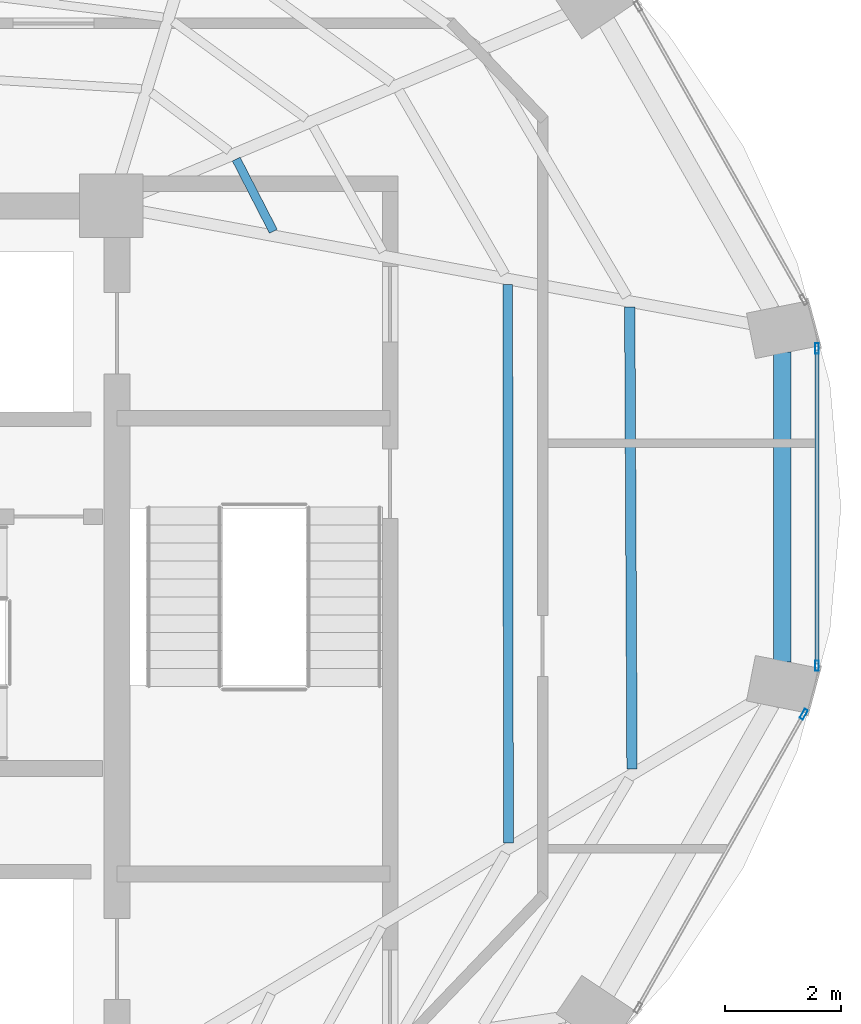
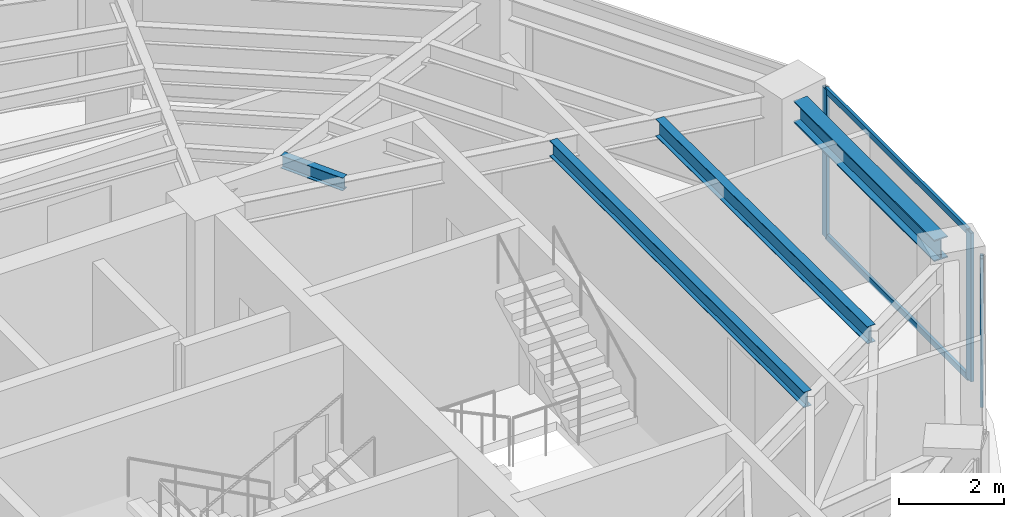
# One storey, part 14 of 23: 5 members, 4 beams, 2 elements without a shape of their own.
"""IFC4 building model written with IfcOpenShell, lengths in metres."""

from ifc_helpers import new_model, si_unit, direction, frame, origin, origin_2d, place, context, subcontext, project, spatial, hollow_rectangle, i_section, extrude, material, layer, layer_set, material_profile, profile_set, type_object, element, aggregate, save


model = new_model("IFC4")

# Units and contexts
model_context = context("Model", 3, precision=1e-05, world=origin(), true_north=direction((0.0, 1.0)))
body_context = subcontext(model_context, "Body", "Model", "MODEL_VIEW")
ifc_project = project(units=[si_unit("LENGTHUNIT", "METRE"), si_unit("AREAUNIT", "SQUARE_METRE"), si_unit("VOLUMEUNIT", "CUBIC_METRE"), si_unit("PLANEANGLEUNIT", "RADIAN"), si_unit("MASSUNIT", "GRAM", prefix="KILO")], contexts=[model_context])

# Site, building, storey
site_placement = place(None, origin())
site = spatial("IfcSite", under=ifc_project, at=site_placement, CompositionType="ELEMENT")
building_placement = place(site_placement, origin())
building = spatial("IfcBuilding", under=site, at=building_placement, Name="Lazwardi Medical Tower", CompositionType="ELEMENT")
storey_placement = place(building_placement, frame((0.0, 0.0, 231.31201171875)))
storey = spatial("IfcBuildingStorey", under=building, at=storey_placement, Name="L60", CompositionType="ELEMENT", Elevation=231.31201171875)

# Beams
ifc_material_1 = material(Name="Steel S355", Category="steel")
ifc_material_profile_1 = material_profile(ifc_material_1, i_section(OverallWidth=0.300048828125, OverallDepth=0.5, WebThickness=0.014404296875, FlangeThickness=0.028076171875, at=origin_2d()), Name="HEB 500")
ifc_profile_set_1 = profile_set([ifc_material_profile_1], Name="Steel S355")
beam_type_1 = type_object("IfcBeamType", Name="BM-RB-Z4", PredefinedType="BEAM", material=ifc_profile_set_1)
beam_1_placement = place(storey_placement, frame((57.18505859375, 27.72705078125, 3.197998046875), z_axis=(0.0, 1.0, 0.0), x_axis=(-1.0, 0.0, 0.0)))
element("IfcBeam", 1, at=beam_1_placement, inside=storey, type_object=beam_type_1, Name="Ring beam RB-05 B04 L60", PredefinedType="BEAM", context=body_context, shape_type="SweptSolid", body=[
    extrude(i_section(OverallWidth=0.300048828125, OverallDepth=0.5, WebThickness=0.014404296875, FlangeThickness=0.028076171875, at=origin_2d()), origin(), (0.0, 0.0, 1.0), 5.345947265625),
])
ifc_material_profile_2 = material_profile(ifc_material_1, i_section(OverallWidth=0.179931640625, OverallDepth=0.39990234375, WebThickness=0.008544921875, FlangeThickness=0.013427734375, at=origin_2d()), Name="IPE 400")
ifc_profile_set_2 = profile_set([ifc_material_profile_2], Name="Steel S355")
beam_type_2 = type_object("IfcBeamType", Name="BM-SJ-01", PredefinedType="JOIST", material=ifc_profile_set_2)
beam_2_placement = place(storey_placement, frame((54.592041015625, 25.879638671875, 3.248046875), z_axis=(-0.004929366644, 0.999987850598, 0.0), x_axis=(-0.999987850598, -0.004929366644, 0.0)))
element("IfcBeam", 2, at=beam_2_placement, inside=storey, type_object=beam_type_2, Name="Secondary joist SJ-01 R1 B04 L60", PredefinedType="JOIST", context=body_context, shape_type="SweptSolid", body=[
    extrude(i_section(OverallWidth=0.179931640625, OverallDepth=0.39990234375, WebThickness=0.008544921875, FlangeThickness=0.013427734375, at=origin_2d()), origin(), (0.0, 0.0, 1.0), 7.973876953125),
])
ifc_material_profile_3 = material_profile(ifc_material_1, i_section(OverallWidth=0.169921875, OverallDepth=0.360107421875, WebThickness=0.008056640625, FlangeThickness=0.0126953125, at=origin_2d()), Name="IPE 360")
ifc_profile_set_3 = profile_set([ifc_material_profile_3], Name="Steel S355")
beam_type_3 = type_object("IfcBeamType", Name="BM-SJ-02", PredefinedType="JOIST", material=ifc_profile_set_3)
beam_3_placement = place(storey_placement, frame((52.458984375, 24.602294921875, 3.26806640625), z_axis=(-0.001367606673, 0.999999064826, 0.0), x_axis=(-0.999999064826, -0.001367606673, 0.0)))
element("IfcBeam", 3, at=beam_3_placement, inside=storey, type_object=beam_type_3, Name="Secondary joist SJ-02 R2 B04 L60", PredefinedType="JOIST", context=body_context, shape_type="SweptSolid", body=[
    extrude(i_section(OverallWidth=0.169921875, OverallDepth=0.360107421875, WebThickness=0.008056640625, FlangeThickness=0.0126953125, at=origin_2d()), origin(), (0.0, 0.0, 1.0), 9.639892578125),
])
ifc_material_profile_4 = material_profile(ifc_material_1, i_section(OverallWidth=0.14990234375, OverallDepth=0.300048828125, WebThickness=0.007080078125, FlangeThickness=0.0107421875, at=origin_2d()), Name="IPE 300")
ifc_profile_set_4 = profile_set([ifc_material_profile_4], Name="Steel S355")
beam_type_4 = type_object("IfcBeamType", Name="BM-SJ-03", PredefinedType="JOIST", material=ifc_profile_set_4)
beam_4_placement = place(storey_placement, frame((48.39990234375, 35.159912109375, 3.298095703125), z_axis=(-0.457285056668, 0.889320176848, 0.0), x_axis=(-0.889320176848, -0.457285056668, 0.0)))
element("IfcBeam", 4, at=beam_4_placement, inside=storey, type_object=beam_type_4, Name="Secondary joist SJ-03 R4 B05 L60", PredefinedType="JOIST", context=body_context, shape_type="SweptSolid", body=[
    extrude(i_section(OverallWidth=0.14990234375, OverallDepth=0.300048828125, WebThickness=0.007080078125, FlangeThickness=0.0107421875, at=origin_2d()), origin(), (0.0, 0.0, 1.0), 1.402099609375),
])

# Curtain wall, member
ifc_material_2 = material(Name="Anodised bronze aluminium and solar control glazing", Category="aluminium")
ifc_layer = layer(ifc_material_2, 0.18994140625)
ifc_layer_set = layer_set([ifc_layer], Name="Anodised bronze aluminium and solar control glazing")
curtain_wall_type = type_object("IfcCurtainWallType", Name="CW-SYS-04", PredefinedType="NOTDEFINED", material=ifc_layer_set)
curtain_wall_1_placement = place(storey_placement, origin())
curtain_wall_1 = element("IfcCurtainWall", 5, at=curtain_wall_1_placement, inside=storey, type_object=curtain_wall_type, Name="L60 Unitised bronze curtain wall CW-04", PredefinedType="NOTDEFINED")
ifc_material_3 = material(Name="Anodised bronze aluminium", Category="aluminium")
ifc_material_profile_5 = material_profile(ifc_material_3, hollow_rectangle(XDim=0.06494140625, YDim=0.179931640625, WallThickness=0.00390625, at=origin_2d()), Name="ALU-MULLION 180x65x4")
ifc_profile_set_5 = profile_set([ifc_material_profile_5], Name="Anodised bronze aluminium")
member_type_1 = type_object("IfcMemberType", Name="CW-MUL-03", PredefinedType="MULLION", material=ifc_profile_set_5)
member_1_placement = place(storey_placement, frame((57.557373046875, 26.82177734375, 0.0), z_axis=(0.0, 0.0, 1.0), x_axis=(-0.870651436011, 0.491900474661, 0.0)))
member_1 = element("IfcMember", 6, at=member_1_placement, type_object=member_type_1, Name="CW-04 mullion 2", PredefinedType="MULLION", context=body_context, shape_type="SweptSolid", body=[
    extrude(hollow_rectangle(XDim=0.06494140625, YDim=0.179931640625, WallThickness=0.00390625, at=origin_2d()), origin(), (0.0, 0.0, 1.0), 3.447998046875),
])
aggregate(curtain_wall_1, [member_1])

# Curtain wall, members
curtain_wall_2_placement = place(storey_placement, origin())
curtain_wall_2 = element("IfcCurtainWall", 7, at=curtain_wall_2_placement, inside=storey, type_object=curtain_wall_type, Name="L60 Unitised bronze curtain wall CW-04", PredefinedType="NOTDEFINED")
member_2_placement = place(storey_placement, frame((57.7841796875, 27.659423828125, 0.0), z_axis=(0.0, 0.0, 1.0), x_axis=(-1.0, 0.0, 0.0)))
member_2 = element("IfcMember", 8, at=member_2_placement, type_object=member_type_1, Name="CW-04 mullion 1", PredefinedType="MULLION", context=body_context, shape_type="SweptSolid", body=[
    extrude(hollow_rectangle(XDim=0.06494140625, YDim=0.179931640625, WallThickness=0.00390625, at=origin_2d()), origin(), (0.0, 0.0, 1.0), 3.447998046875),
])
member_3_placement = place(storey_placement, frame((57.7841796875, 33.140380859375, 0.0), z_axis=(0.0, 0.0, 1.0), x_axis=(-1.0, 0.0, 0.0)))
member_3 = element("IfcMember", 9, at=member_3_placement, type_object=member_type_1, Name="CW-04 mullion 2", PredefinedType="MULLION", context=body_context, shape_type="SweptSolid", body=[
    extrude(hollow_rectangle(XDim=0.06494140625, YDim=0.179931640625, WallThickness=0.00390625, at=origin_2d()), origin(), (0.0, 0.0, 1.0), 3.447998046875),
])
ifc_material_profile_6 = material_profile(ifc_material_3, hollow_rectangle(XDim=0.06494140625, YDim=0.139892578125, WallThickness=0.00341796875, at=origin_2d()), Name="ALU-TRANSOM 140x65x3.5")
ifc_profile_set_6 = profile_set([ifc_material_profile_6], Name="Anodised bronze aluminium")
member_type_2 = type_object("IfcMemberType", Name="CW-TRN-03", PredefinedType="USERDEFINED", material=ifc_profile_set_6)
member_4_placement = place(storey_placement, frame((57.7841796875, 27.69189453125, 0.032470703125), z_axis=(0.0, 1.0, 0.0), x_axis=(-1.0, 0.0, 0.0)))
member_4 = element("IfcMember", 10, at=member_4_placement, type_object=member_type_2, Name="CW-04 transom 1.1", ObjectType="TRANSOM", PredefinedType="USERDEFINED", context=body_context, shape_type="SweptSolid", body=[
    extrude(hollow_rectangle(XDim=0.06494140625, YDim=0.139892578125, WallThickness=0.00341796875, at=origin_2d()), origin(), (0.0, 0.0, 1.0), 5.416015625),
])
member_5_placement = place(storey_placement, frame((57.7841796875, 27.69189453125, 3.41552734375), z_axis=(0.0, 1.0, 0.0), x_axis=(-1.0, 0.0, 0.0)))
member_5 = element("IfcMember", 11, at=member_5_placement, type_object=member_type_2, Name="CW-04 transom 1.2", ObjectType="TRANSOM", PredefinedType="USERDEFINED", context=body_context, shape_type="SweptSolid", body=[
    extrude(hollow_rectangle(XDim=0.06494140625, YDim=0.139892578125, WallThickness=0.00341796875, at=origin_2d()), origin(), (0.0, 0.0, 1.0), 5.416015625),
])
aggregate(curtain_wall_2, [member_2, member_3, member_4, member_5])

save(model, "model.ifc")
